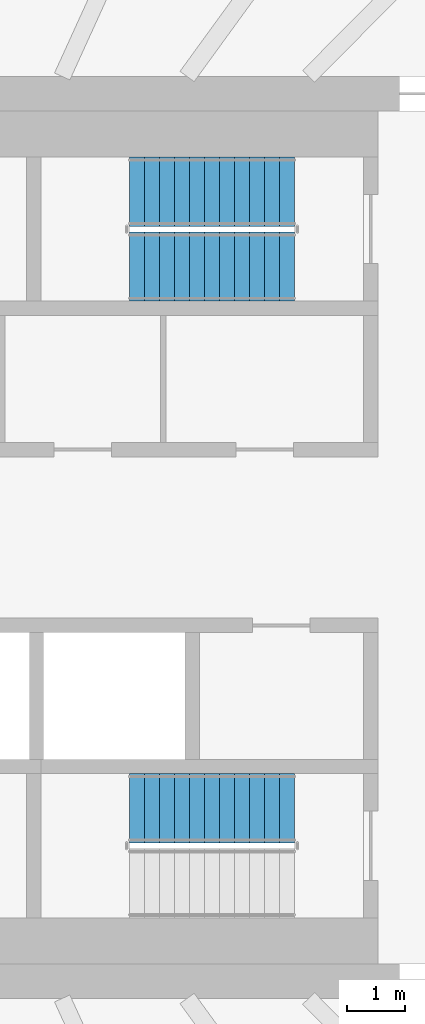
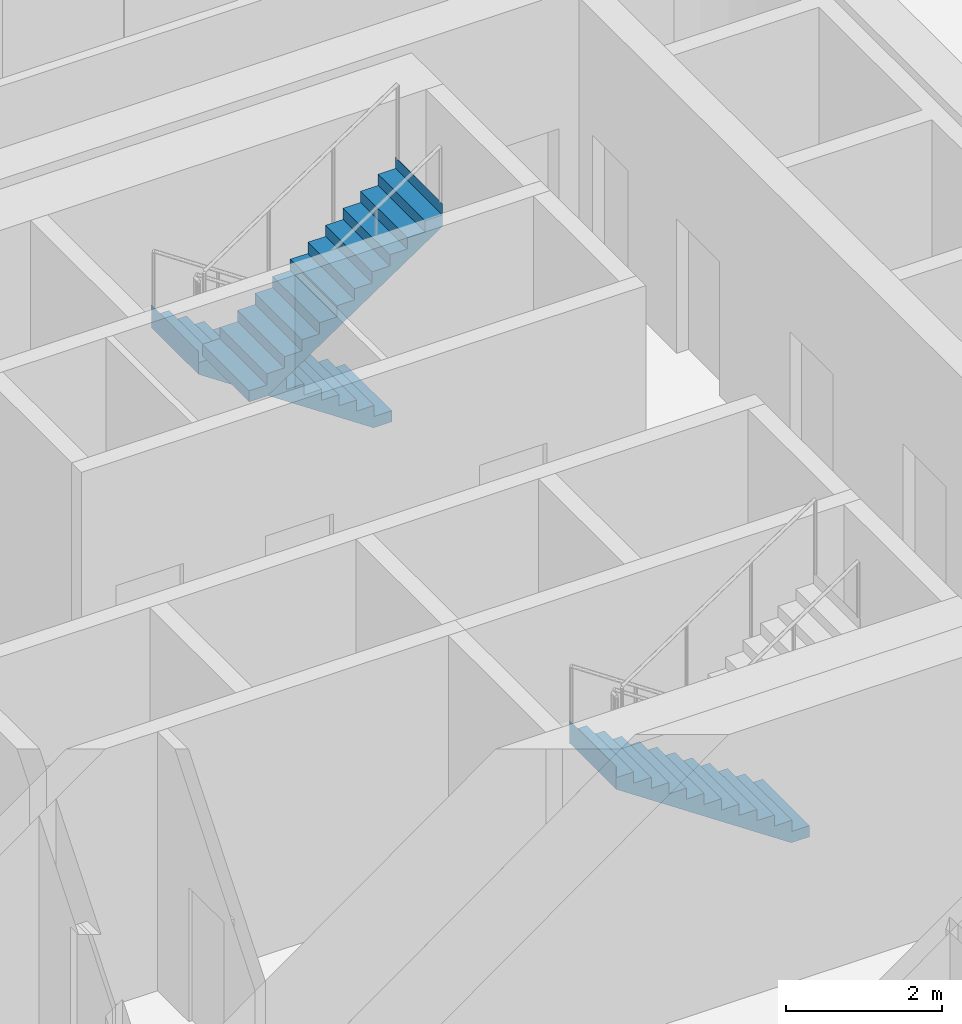
# One storey, part 19 of 26: 3 stair flights, 2 elements without a shape of their own.
"""IFC4 building model written with IfcOpenShell, lengths in metres."""

from ifc_helpers import new_model, si_unit, direction, frame, origin, place, context, subcontext, project, spatial, triangles, material, type_object, element, aggregate, save


model = new_model("IFC4")

# Units and contexts
model_context = context("Model", 3, precision=1e-05, world=origin(), true_north=direction((0.0, 1.0)))
body_context = subcontext(model_context, "Body", "Model", "MODEL_VIEW")
ifc_project = project(units=[si_unit("LENGTHUNIT", "METRE"), si_unit("AREAUNIT", "SQUARE_METRE"), si_unit("VOLUMEUNIT", "CUBIC_METRE"), si_unit("PLANEANGLEUNIT", "RADIAN"), si_unit("MASSUNIT", "GRAM", prefix="KILO")], contexts=[model_context])

# Site, building, storey
site_placement = place(None, origin())
site = spatial("IfcSite", under=ifc_project, at=site_placement, CompositionType="ELEMENT")
building_placement = place(site_placement, origin())
building = spatial("IfcBuilding", under=site, at=building_placement, Name="Sahrelin Media Tower", CompositionType="ELEMENT")
storey_placement = place(building_placement, frame((0.0, 0.0, 102.0)))
storey = spatial("IfcBuildingStorey", under=building, at=storey_placement, Name="L19", CompositionType="ELEMENT", Elevation=102.0)

# Stair, stair flights
ifc_material = material(Name="Concrete C40/50", Category="concrete")
stair_type = type_object("IfcStairType", Name="Exit stair 1200", PredefinedType="HALF_TURN_STAIR", material=ifc_material)
placement = place(storey_placement, origin())
stair_1 = element("IfcStair", 1, at=placement, inside=storey, type_object=stair_type, Name="L19 Exit stair ST3", PredefinedType="HALF_TURN_STAIR")
stair_flight_type = type_object("IfcStairFlightType", Name="Stair flight 1200", PredefinedType="STRAIGHT", material=ifc_material)
stair_flight_1_placement = place(storey_placement, frame((7.675048828125, 6.0, 0.0), z_axis=(0.0, 0.0, 1.0), x_axis=(-1.0, 0.0, 0.0)))
stair_flight_1 = element("IfcStairFlight", 2, at=stair_flight_1_placement, type_object=stair_flight_type, Name="ST3 flight 1", NumberOfRisers=12, NumberOfTreads=11, PredefinedType="STRAIGHT", RiserHeight=0.175, TreadLength=0.26, context=body_context, shape_type="Tessellation", body=[
    triangles([(0.2685546875, 0.60009765625, 0.0), (0.2685546875, 0.300048828125, 0.0), (0.2685546875, 0.0, 0.0), (0.2685546875, -0.300048828125, 0.0), (0.2685546875, -0.60009765625, 0.0), (2.860107421875, 0.60009765625, 1.744384765625), (2.860107421875, 0.300048828125, 1.744384765625), (2.860107421875, 0.0, 1.744384765625), (2.860107421875, -0.300048828125, 1.744384765625), (2.860107421875, -0.60009765625, 1.744384765625), (2.860107421875, 0.60009765625, 2.10009765625), (2.860107421875, 0.300048828125, 2.10009765625), (2.860107421875, 0.0, 2.10009765625), (2.860107421875, -0.300048828125, 2.10009765625), (2.860107421875, -0.60009765625, 2.10009765625), (2.85791015625, 0.60009765625, 2.10009765625), (2.85791015625, 0.300048828125, 2.10009765625), (2.85791015625, 0.0, 2.10009765625), (2.85791015625, -0.300048828125, 2.10009765625), (2.85791015625, -0.60009765625, 2.10009765625), (2.85791015625, 0.60009765625, 1.925048828125), (2.85791015625, 0.300048828125, 1.925048828125), (2.85791015625, 0.0, 1.925048828125), (2.85791015625, -0.300048828125, 1.925048828125), (2.85791015625, -0.60009765625, 1.925048828125), (2.60009765625, 0.60009765625, 1.925048828125), (2.60009765625, 0.300048828125, 1.925048828125), (2.60009765625, 0.0, 1.925048828125), (2.60009765625, -0.300048828125, 1.925048828125), (2.60009765625, -0.60009765625, 1.925048828125), (2.60009765625, 0.60009765625, 1.75), (2.60009765625, 0.300048828125, 1.75), (2.60009765625, 0.0, 1.75), (2.60009765625, -0.300048828125, 1.75), (2.60009765625, -0.60009765625, 1.75), (2.340087890625, 0.60009765625, 1.75), (2.340087890625, 0.300048828125, 1.75), (2.340087890625, 0.0, 1.75), (2.340087890625, -0.300048828125, 1.75), (2.340087890625, -0.60009765625, 1.75), (2.340087890625, 0.60009765625, 1.574951171875), (2.340087890625, 0.300048828125, 1.574951171875), (2.340087890625, 0.0, 1.574951171875), (2.340087890625, -0.300048828125, 1.574951171875), (2.340087890625, -0.60009765625, 1.574951171875), (2.080078125, 0.60009765625, 1.574951171875), (2.080078125, 0.300048828125, 1.574951171875), (2.080078125, 0.0, 1.574951171875), (2.080078125, -0.300048828125, 1.574951171875), (2.080078125, -0.60009765625, 1.574951171875), (2.080078125, 0.60009765625, 1.39990234375), (2.080078125, 0.300048828125, 1.39990234375), (2.080078125, 0.0, 1.39990234375), (2.080078125, -0.300048828125, 1.39990234375), (2.080078125, -0.60009765625, 1.39990234375), (1.820068359375, 0.60009765625, 1.39990234375), (1.820068359375, 0.300048828125, 1.39990234375), (1.820068359375, 0.0, 1.39990234375), (1.820068359375, -0.300048828125, 1.39990234375), (1.820068359375, -0.60009765625, 1.39990234375), (1.820068359375, 0.60009765625, 1.22509765625), (1.820068359375, 0.300048828125, 1.22509765625), (1.820068359375, 0.0, 1.22509765625), (1.820068359375, -0.300048828125, 1.22509765625), (1.820068359375, -0.60009765625, 1.22509765625), (1.56005859375, 0.60009765625, 1.22509765625), (1.56005859375, 0.300048828125, 1.22509765625), (1.56005859375, 0.0, 1.22509765625), (1.56005859375, -0.300048828125, 1.22509765625), (1.56005859375, -0.60009765625, 1.22509765625), (1.56005859375, 0.60009765625, 1.050048828125), (1.56005859375, 0.300048828125, 1.050048828125), (1.56005859375, 0.0, 1.050048828125), (1.56005859375, -0.300048828125, 1.050048828125), (1.56005859375, -0.60009765625, 1.050048828125), (1.300048828125, 0.60009765625, 1.050048828125), (1.300048828125, 0.300048828125, 1.050048828125), (1.300048828125, 0.0, 1.050048828125), (1.300048828125, -0.300048828125, 1.050048828125), (1.300048828125, -0.60009765625, 1.050048828125), (1.300048828125, 0.60009765625, 0.875), (1.300048828125, 0.300048828125, 0.875), (1.300048828125, 0.0, 0.875), (1.300048828125, -0.300048828125, 0.875), (1.300048828125, -0.60009765625, 0.875), (1.0400390625, 0.60009765625, 0.875), (1.0400390625, 0.300048828125, 0.875), (1.0400390625, 0.0, 0.875), (1.0400390625, -0.300048828125, 0.875), (1.0400390625, -0.60009765625, 0.875), (1.0400390625, 0.60009765625, 0.699951171875), (1.0400390625, 0.300048828125, 0.699951171875), (1.0400390625, 0.0, 0.699951171875), (1.0400390625, -0.300048828125, 0.699951171875), (1.0400390625, -0.60009765625, 0.699951171875), (0.780029296875, 0.60009765625, 0.699951171875), (0.780029296875, 0.300048828125, 0.699951171875), (0.780029296875, 0.0, 0.699951171875), (0.780029296875, -0.300048828125, 0.699951171875), (0.780029296875, -0.60009765625, 0.699951171875), (0.780029296875, 0.60009765625, 0.52490234375), (0.780029296875, 0.300048828125, 0.52490234375), (0.780029296875, 0.0, 0.52490234375), (0.780029296875, -0.300048828125, 0.52490234375), (0.780029296875, -0.60009765625, 0.52490234375), (0.52001953125, 0.60009765625, 0.52490234375), (0.52001953125, 0.300048828125, 0.52490234375), (0.52001953125, 0.0, 0.52490234375), (0.52001953125, -0.300048828125, 0.52490234375), (0.52001953125, -0.60009765625, 0.52490234375), (0.52001953125, 0.60009765625, 0.35009765625), (0.52001953125, 0.300048828125, 0.35009765625), (0.52001953125, 0.0, 0.35009765625), (0.52001953125, -0.300048828125, 0.35009765625), (0.52001953125, -0.60009765625, 0.35009765625), (0.260009765625, 0.60009765625, 0.35009765625), (0.260009765625, 0.300048828125, 0.35009765625), (0.260009765625, 0.0, 0.35009765625), (0.260009765625, -0.300048828125, 0.35009765625), (0.260009765625, -0.60009765625, 0.35009765625), (0.260009765625, 0.60009765625, 0.175048828125), (0.260009765625, 0.300048828125, 0.175048828125), (0.260009765625, 0.0, 0.175048828125), (0.260009765625, -0.300048828125, 0.175048828125), (0.260009765625, -0.60009765625, 0.175048828125), (0.0, 0.60009765625, 0.175048828125), (0.0, 0.300048828125, 0.175048828125), (0.0, 0.0, 0.175048828125), (0.0, -0.300048828125, 0.175048828125), (0.0, -0.60009765625, 0.175048828125), (0.0, 0.60009765625, 0.0), (0.0, 0.300048828125, 0.0), (0.0, 0.0, 0.0), (0.0, -0.300048828125, 0.0), (0.0, -0.60009765625, 0.0)], [[1, 6, 7], [1, 7, 2], [2, 7, 8], [2, 8, 3], [3, 8, 9], [3, 9, 4], [4, 9, 10], [4, 10, 5], [6, 11, 12], [6, 12, 7], [7, 12, 13], [7, 13, 8], [8, 13, 14], [8, 14, 9], [9, 14, 15], [9, 15, 10], [11, 16, 17], [11, 17, 12], [12, 17, 18], [12, 18, 13], [13, 18, 19], [13, 19, 14], [14, 19, 20], [14, 20, 15], [16, 21, 22], [16, 22, 17], [17, 22, 23], [17, 23, 18], [18, 23, 24], [18, 24, 19], [19, 24, 25], [19, 25, 20], [21, 26, 27], [21, 27, 22], [22, 27, 28], [22, 28, 23], [23, 28, 29], [23, 29, 24], [24, 29, 30], [24, 30, 25], [26, 31, 32], [26, 32, 27], [27, 32, 33], [27, 33, 28], [28, 33, 34], [28, 34, 29], [29, 34, 35], [29, 35, 30], [31, 36, 37], [31, 37, 32], [32, 37, 38], [32, 38, 33], [33, 38, 39], [33, 39, 34], [34, 39, 40], [34, 40, 35], [36, 41, 42], [36, 42, 37], [37, 42, 43], [37, 43, 38], [38, 43, 44], [38, 44, 39], [39, 44, 45], [39, 45, 40], [41, 46, 47], [41, 47, 42], [42, 47, 48], [42, 48, 43], [43, 48, 49], [43, 49, 44], [44, 49, 50], [44, 50, 45], [46, 51, 52], [46, 52, 47], [47, 52, 53], [47, 53, 48], [48, 53, 54], [48, 54, 49], [49, 54, 55], [49, 55, 50], [51, 56, 57], [51, 57, 52], [52, 57, 58], [52, 58, 53], [53, 58, 59], [53, 59, 54], [54, 59, 60], [54, 60, 55], [56, 61, 62], [56, 62, 57], [57, 62, 63], [57, 63, 58], [58, 63, 64], [58, 64, 59], [59, 64, 65], [59, 65, 60], [61, 66, 67], [61, 67, 62], [62, 67, 68], [62, 68, 63], [63, 68, 69], [63, 69, 64], [64, 69, 70], [64, 70, 65], [66, 71, 72], [66, 72, 67], [67, 72, 73], [67, 73, 68], [68, 73, 74], [68, 74, 69], [69, 74, 75], [69, 75, 70], [71, 76, 77], [71, 77, 72], [72, 77, 78], [72, 78, 73], [73, 78, 79], [73, 79, 74], [74, 79, 80], [74, 80, 75], [76, 81, 82], [76, 82, 77], [77, 82, 83], [77, 83, 78], [78, 83, 84], [78, 84, 79], [79, 84, 85], [79, 85, 80], [81, 86, 87], [81, 87, 82], [82, 87, 88], [82, 88, 83], [83, 88, 89], [83, 89, 84], [84, 89, 90], [84, 90, 85], [86, 91, 92], [86, 92, 87], [87, 92, 93], [87, 93, 88], [88, 93, 94], [88, 94, 89], [89, 94, 95], [89, 95, 90], [91, 96, 97], [91, 97, 92], [92, 97, 98], [92, 98, 93], [93, 98, 99], [93, 99, 94], [94, 99, 100], [94, 100, 95], [96, 101, 102], [96, 102, 97], [97, 102, 103], [97, 103, 98], [98, 103, 104], [98, 104, 99], [99, 104, 105], [99, 105, 100], [101, 106, 107], [101, 107, 102], [102, 107, 108], [102, 108, 103], [103, 108, 109], [103, 109, 104], [104, 109, 110], [104, 110, 105], [106, 111, 112], [106, 112, 107], [107, 112, 113], [107, 113, 108], [108, 113, 114], [108, 114, 109], [109, 114, 115], [109, 115, 110], [111, 116, 117], [111, 117, 112], [112, 117, 118], [112, 118, 113], [113, 118, 119], [113, 119, 114], [114, 119, 120], [114, 120, 115], [116, 121, 122], [116, 122, 117], [117, 122, 123], [117, 123, 118], [118, 123, 124], [118, 124, 119], [119, 124, 125], [119, 125, 120], [121, 126, 127], [121, 127, 122], [122, 127, 128], [122, 128, 123], [123, 128, 129], [123, 129, 124], [124, 129, 130], [124, 130, 125], [126, 131, 132], [126, 132, 127], [127, 132, 133], [127, 133, 128], [128, 133, 134], [128, 134, 129], [129, 134, 135], [129, 135, 130], [131, 1, 2], [131, 2, 132], [132, 2, 3], [132, 3, 133], [133, 3, 4], [133, 4, 134], [134, 4, 5], [134, 5, 135], [125, 130, 135], [121, 131, 126], [125, 115, 120], [121, 116, 111], [115, 105, 110], [111, 106, 101], [105, 95, 100], [101, 96, 91], [95, 85, 90], [91, 86, 81], [85, 75, 80], [81, 76, 71], [75, 65, 70], [71, 66, 61], [65, 55, 60], [61, 56, 51], [55, 45, 50], [51, 46, 41], [45, 35, 40], [41, 36, 31], [35, 25, 30], [31, 26, 21], [25, 15, 20], [21, 16, 11], [135, 5, 125], [131, 121, 1], [95, 105, 5], [91, 1, 101], [5, 10, 75], [1, 71, 6], [10, 35, 45], [6, 41, 31], [25, 10, 15], [21, 11, 6], [115, 125, 5], [111, 1, 121], [75, 85, 5], [71, 1, 81], [35, 10, 25], [31, 21, 6], [105, 115, 5], [101, 1, 111], [45, 55, 10], [41, 6, 51], [85, 95, 5], [81, 1, 91], [65, 10, 55], [61, 51, 6], [10, 65, 75], [6, 71, 61]], closed=True),
])
stair_flight_2_placement = place(storey_placement, frame((4.81494140625, 4.699951171875, 2.10009765625), z_axis=(0.0, 0.0, 1.0), x_axis=(1.0, 0.0, 0.0)))
stair_flight_2 = element("IfcStairFlight", 3, at=stair_flight_2_placement, type_object=stair_flight_type, Name="ST3 flight 2", NumberOfRisers=12, NumberOfTreads=11, PredefinedType="STRAIGHT", RiserHeight=0.175, TreadLength=0.26, context=body_context, shape_type="Tessellation", body=[
    triangles([(0.2685546875, 0.60009765625, 0.0), (0.2685546875, 0.300048828125, 0.0), (0.2685546875, 0.0, 0.0), (0.2685546875, -0.300048828125, 0.0), (0.2685546875, -0.60009765625, 0.0), (2.860107421875, 0.60009765625, 1.744384765625), (2.860107421875, 0.300048828125, 1.744384765625), (2.860107421875, 0.0, 1.744384765625), (2.860107421875, -0.300048828125, 1.744384765625), (2.860107421875, -0.60009765625, 1.744384765625), (2.860107421875, 0.60009765625, 2.10009765625), (2.860107421875, 0.300048828125, 2.10009765625), (2.860107421875, 0.0, 2.10009765625), (2.860107421875, -0.300048828125, 2.10009765625), (2.860107421875, -0.60009765625, 2.10009765625), (2.85791015625, 0.60009765625, 2.10009765625), (2.85791015625, 0.300048828125, 2.10009765625), (2.85791015625, 0.0, 2.10009765625), (2.85791015625, -0.300048828125, 2.10009765625), (2.85791015625, -0.60009765625, 2.10009765625), (2.85791015625, 0.60009765625, 1.925048828125), (2.85791015625, 0.300048828125, 1.925048828125), (2.85791015625, 0.0, 1.925048828125), (2.85791015625, -0.300048828125, 1.925048828125), (2.85791015625, -0.60009765625, 1.925048828125), (2.60009765625, 0.60009765625, 1.925048828125), (2.60009765625, 0.300048828125, 1.925048828125), (2.60009765625, 0.0, 1.925048828125), (2.60009765625, -0.300048828125, 1.925048828125), (2.60009765625, -0.60009765625, 1.925048828125), (2.60009765625, 0.60009765625, 1.75), (2.60009765625, 0.300048828125, 1.75), (2.60009765625, 0.0, 1.75), (2.60009765625, -0.300048828125, 1.75), (2.60009765625, -0.60009765625, 1.75), (2.340087890625, 0.60009765625, 1.75), (2.340087890625, 0.300048828125, 1.75), (2.340087890625, 0.0, 1.75), (2.340087890625, -0.300048828125, 1.75), (2.340087890625, -0.60009765625, 1.75), (2.340087890625, 0.60009765625, 1.574951171875), (2.340087890625, 0.300048828125, 1.574951171875), (2.340087890625, 0.0, 1.574951171875), (2.340087890625, -0.300048828125, 1.574951171875), (2.340087890625, -0.60009765625, 1.574951171875), (2.080078125, 0.60009765625, 1.574951171875), (2.080078125, 0.300048828125, 1.574951171875), (2.080078125, 0.0, 1.574951171875), (2.080078125, -0.300048828125, 1.574951171875), (2.080078125, -0.60009765625, 1.574951171875), (2.080078125, 0.60009765625, 1.39990234375), (2.080078125, 0.300048828125, 1.39990234375), (2.080078125, 0.0, 1.39990234375), (2.080078125, -0.300048828125, 1.39990234375), (2.080078125, -0.60009765625, 1.39990234375), (1.820068359375, 0.60009765625, 1.39990234375), (1.820068359375, 0.300048828125, 1.39990234375), (1.820068359375, 0.0, 1.39990234375), (1.820068359375, -0.300048828125, 1.39990234375), (1.820068359375, -0.60009765625, 1.39990234375), (1.820068359375, 0.60009765625, 1.22509765625), (1.820068359375, 0.300048828125, 1.22509765625), (1.820068359375, 0.0, 1.22509765625), (1.820068359375, -0.300048828125, 1.22509765625), (1.820068359375, -0.60009765625, 1.22509765625), (1.56005859375, 0.60009765625, 1.22509765625), (1.56005859375, 0.300048828125, 1.22509765625), (1.56005859375, 0.0, 1.22509765625), (1.56005859375, -0.300048828125, 1.22509765625), (1.56005859375, -0.60009765625, 1.22509765625), (1.56005859375, 0.60009765625, 1.050048828125), (1.56005859375, 0.300048828125, 1.050048828125), (1.56005859375, 0.0, 1.050048828125), (1.56005859375, -0.300048828125, 1.050048828125), (1.56005859375, -0.60009765625, 1.050048828125), (1.300048828125, 0.60009765625, 1.050048828125), (1.300048828125, 0.300048828125, 1.050048828125), (1.300048828125, 0.0, 1.050048828125), (1.300048828125, -0.300048828125, 1.050048828125), (1.300048828125, -0.60009765625, 1.050048828125), (1.300048828125, 0.60009765625, 0.875), (1.300048828125, 0.300048828125, 0.875), (1.300048828125, 0.0, 0.875), (1.300048828125, -0.300048828125, 0.875), (1.300048828125, -0.60009765625, 0.875), (1.0400390625, 0.60009765625, 0.875), (1.0400390625, 0.300048828125, 0.875), (1.0400390625, 0.0, 0.875), (1.0400390625, -0.300048828125, 0.875), (1.0400390625, -0.60009765625, 0.875), (1.0400390625, 0.60009765625, 0.699951171875), (1.0400390625, 0.300048828125, 0.699951171875), (1.0400390625, 0.0, 0.699951171875), (1.0400390625, -0.300048828125, 0.699951171875), (1.0400390625, -0.60009765625, 0.699951171875), (0.780029296875, 0.60009765625, 0.699951171875), (0.780029296875, 0.300048828125, 0.699951171875), (0.780029296875, 0.0, 0.699951171875), (0.780029296875, -0.300048828125, 0.699951171875), (0.780029296875, -0.60009765625, 0.699951171875), (0.780029296875, 0.60009765625, 0.52490234375), (0.780029296875, 0.300048828125, 0.52490234375), (0.780029296875, 0.0, 0.52490234375), (0.780029296875, -0.300048828125, 0.52490234375), (0.780029296875, -0.60009765625, 0.52490234375), (0.52001953125, 0.60009765625, 0.52490234375), (0.52001953125, 0.300048828125, 0.52490234375), (0.52001953125, 0.0, 0.52490234375), (0.52001953125, -0.300048828125, 0.52490234375), (0.52001953125, -0.60009765625, 0.52490234375), (0.52001953125, 0.60009765625, 0.35009765625), (0.52001953125, 0.300048828125, 0.35009765625), (0.52001953125, 0.0, 0.35009765625), (0.52001953125, -0.300048828125, 0.35009765625), (0.52001953125, -0.60009765625, 0.35009765625), (0.260009765625, 0.60009765625, 0.35009765625), (0.260009765625, 0.300048828125, 0.35009765625), (0.260009765625, 0.0, 0.35009765625), (0.260009765625, -0.300048828125, 0.35009765625), (0.260009765625, -0.60009765625, 0.35009765625), (0.260009765625, 0.60009765625, 0.175048828125), (0.260009765625, 0.300048828125, 0.175048828125), (0.260009765625, 0.0, 0.175048828125), (0.260009765625, -0.300048828125, 0.175048828125), (0.260009765625, -0.60009765625, 0.175048828125), (0.0, 0.60009765625, 0.175048828125), (0.0, 0.300048828125, 0.175048828125), (0.0, 0.0, 0.175048828125), (0.0, -0.300048828125, 0.175048828125), (0.0, -0.60009765625, 0.175048828125), (0.0, 0.60009765625, 0.0), (0.0, 0.300048828125, 0.0), (0.0, 0.0, 0.0), (0.0, -0.300048828125, 0.0), (0.0, -0.60009765625, 0.0)], [[1, 6, 7], [1, 7, 2], [2, 7, 8], [2, 8, 3], [3, 8, 9], [3, 9, 4], [4, 9, 10], [4, 10, 5], [6, 11, 12], [6, 12, 7], [7, 12, 13], [7, 13, 8], [8, 13, 14], [8, 14, 9], [9, 14, 15], [9, 15, 10], [11, 16, 17], [11, 17, 12], [12, 17, 18], [12, 18, 13], [13, 18, 19], [13, 19, 14], [14, 19, 20], [14, 20, 15], [16, 21, 22], [16, 22, 17], [17, 22, 23], [17, 23, 18], [18, 23, 24], [18, 24, 19], [19, 24, 25], [19, 25, 20], [21, 26, 27], [21, 27, 22], [22, 27, 28], [22, 28, 23], [23, 28, 29], [23, 29, 24], [24, 29, 30], [24, 30, 25], [26, 31, 32], [26, 32, 27], [27, 32, 33], [27, 33, 28], [28, 33, 34], [28, 34, 29], [29, 34, 35], [29, 35, 30], [31, 36, 37], [31, 37, 32], [32, 37, 38], [32, 38, 33], [33, 38, 39], [33, 39, 34], [34, 39, 40], [34, 40, 35], [36, 41, 42], [36, 42, 37], [37, 42, 43], [37, 43, 38], [38, 43, 44], [38, 44, 39], [39, 44, 45], [39, 45, 40], [41, 46, 47], [41, 47, 42], [42, 47, 48], [42, 48, 43], [43, 48, 49], [43, 49, 44], [44, 49, 50], [44, 50, 45], [46, 51, 52], [46, 52, 47], [47, 52, 53], [47, 53, 48], [48, 53, 54], [48, 54, 49], [49, 54, 55], [49, 55, 50], [51, 56, 57], [51, 57, 52], [52, 57, 58], [52, 58, 53], [53, 58, 59], [53, 59, 54], [54, 59, 60], [54, 60, 55], [56, 61, 62], [56, 62, 57], [57, 62, 63], [57, 63, 58], [58, 63, 64], [58, 64, 59], [59, 64, 65], [59, 65, 60], [61, 66, 67], [61, 67, 62], [62, 67, 68], [62, 68, 63], [63, 68, 69], [63, 69, 64], [64, 69, 70], [64, 70, 65], [66, 71, 72], [66, 72, 67], [67, 72, 73], [67, 73, 68], [68, 73, 74], [68, 74, 69], [69, 74, 75], [69, 75, 70], [71, 76, 77], [71, 77, 72], [72, 77, 78], [72, 78, 73], [73, 78, 79], [73, 79, 74], [74, 79, 80], [74, 80, 75], [76, 81, 82], [76, 82, 77], [77, 82, 83], [77, 83, 78], [78, 83, 84], [78, 84, 79], [79, 84, 85], [79, 85, 80], [81, 86, 87], [81, 87, 82], [82, 87, 88], [82, 88, 83], [83, 88, 89], [83, 89, 84], [84, 89, 90], [84, 90, 85], [86, 91, 92], [86, 92, 87], [87, 92, 93], [87, 93, 88], [88, 93, 94], [88, 94, 89], [89, 94, 95], [89, 95, 90], [91, 96, 97], [91, 97, 92], [92, 97, 98], [92, 98, 93], [93, 98, 99], [93, 99, 94], [94, 99, 100], [94, 100, 95], [96, 101, 102], [96, 102, 97], [97, 102, 103], [97, 103, 98], [98, 103, 104], [98, 104, 99], [99, 104, 105], [99, 105, 100], [101, 106, 107], [101, 107, 102], [102, 107, 108], [102, 108, 103], [103, 108, 109], [103, 109, 104], [104, 109, 110], [104, 110, 105], [106, 111, 112], [106, 112, 107], [107, 112, 113], [107, 113, 108], [108, 113, 114], [108, 114, 109], [109, 114, 115], [109, 115, 110], [111, 116, 117], [111, 117, 112], [112, 117, 118], [112, 118, 113], [113, 118, 119], [113, 119, 114], [114, 119, 120], [114, 120, 115], [116, 121, 122], [116, 122, 117], [117, 122, 123], [117, 123, 118], [118, 123, 124], [118, 124, 119], [119, 124, 125], [119, 125, 120], [121, 126, 127], [121, 127, 122], [122, 127, 128], [122, 128, 123], [123, 128, 129], [123, 129, 124], [124, 129, 130], [124, 130, 125], [126, 131, 132], [126, 132, 127], [127, 132, 133], [127, 133, 128], [128, 133, 134], [128, 134, 129], [129, 134, 135], [129, 135, 130], [131, 1, 2], [131, 2, 132], [132, 2, 3], [132, 3, 133], [133, 3, 4], [133, 4, 134], [134, 4, 5], [134, 5, 135], [125, 130, 135], [121, 131, 126], [125, 115, 120], [121, 116, 111], [115, 105, 110], [111, 106, 101], [105, 95, 100], [101, 96, 91], [95, 85, 90], [91, 86, 81], [85, 75, 80], [81, 76, 71], [75, 65, 70], [71, 66, 61], [65, 55, 60], [61, 56, 51], [55, 45, 50], [51, 46, 41], [45, 35, 40], [41, 36, 31], [35, 25, 30], [31, 26, 21], [25, 15, 20], [21, 16, 11], [135, 5, 125], [131, 121, 1], [95, 105, 5], [91, 1, 101], [5, 10, 75], [1, 71, 6], [10, 35, 45], [6, 41, 31], [25, 10, 15], [21, 11, 6], [115, 125, 5], [111, 1, 121], [75, 85, 5], [71, 1, 81], [35, 10, 25], [31, 21, 6], [105, 115, 5], [101, 1, 111], [45, 55, 10], [41, 6, 51], [85, 95, 5], [81, 1, 91], [65, 10, 55], [61, 51, 6], [10, 65, 75], [6, 71, 61]], closed=True),
])
aggregate(stair_1, [stair_flight_1, stair_flight_2])

# Stair, stair flight
stair_2 = element("IfcStair", 4, at=placement, inside=storey, type_object=stair_type, Name="L19 Exit stair ST2", PredefinedType="HALF_TURN_STAIR")
stair_flight_3_placement = place(storey_placement, frame((7.675048828125, -4.699951171875, 0.0), z_axis=(0.0, 0.0, 1.0), x_axis=(-1.0, 0.0, 0.0)))
stair_flight_3 = element("IfcStairFlight", 5, at=stair_flight_3_placement, type_object=stair_flight_type, Name="ST2 flight 1", NumberOfRisers=12, NumberOfTreads=11, PredefinedType="STRAIGHT", RiserHeight=0.175, TreadLength=0.26, context=body_context, shape_type="Tessellation", body=[
    triangles([(0.2685546875, 0.60009765625, 0.0), (0.2685546875, 0.300048828125, 0.0), (0.2685546875, 0.0, 0.0), (0.2685546875, -0.300048828125, 0.0), (0.2685546875, -0.60009765625, 0.0), (2.860107421875, 0.60009765625, 1.744384765625), (2.860107421875, 0.300048828125, 1.744384765625), (2.860107421875, 0.0, 1.744384765625), (2.860107421875, -0.300048828125, 1.744384765625), (2.860107421875, -0.60009765625, 1.744384765625), (2.860107421875, 0.60009765625, 2.10009765625), (2.860107421875, 0.300048828125, 2.10009765625), (2.860107421875, 0.0, 2.10009765625), (2.860107421875, -0.300048828125, 2.10009765625), (2.860107421875, -0.60009765625, 2.10009765625), (2.85791015625, 0.60009765625, 2.10009765625), (2.85791015625, 0.300048828125, 2.10009765625), (2.85791015625, 0.0, 2.10009765625), (2.85791015625, -0.300048828125, 2.10009765625), (2.85791015625, -0.60009765625, 2.10009765625), (2.85791015625, 0.60009765625, 1.925048828125), (2.85791015625, 0.300048828125, 1.925048828125), (2.85791015625, 0.0, 1.925048828125), (2.85791015625, -0.300048828125, 1.925048828125), (2.85791015625, -0.60009765625, 1.925048828125), (2.60009765625, 0.60009765625, 1.925048828125), (2.60009765625, 0.300048828125, 1.925048828125), (2.60009765625, 0.0, 1.925048828125), (2.60009765625, -0.300048828125, 1.925048828125), (2.60009765625, -0.60009765625, 1.925048828125), (2.60009765625, 0.60009765625, 1.75), (2.60009765625, 0.300048828125, 1.75), (2.60009765625, 0.0, 1.75), (2.60009765625, -0.300048828125, 1.75), (2.60009765625, -0.60009765625, 1.75), (2.340087890625, 0.60009765625, 1.75), (2.340087890625, 0.300048828125, 1.75), (2.340087890625, 0.0, 1.75), (2.340087890625, -0.300048828125, 1.75), (2.340087890625, -0.60009765625, 1.75), (2.340087890625, 0.60009765625, 1.574951171875), (2.340087890625, 0.300048828125, 1.574951171875), (2.340087890625, 0.0, 1.574951171875), (2.340087890625, -0.300048828125, 1.574951171875), (2.340087890625, -0.60009765625, 1.574951171875), (2.080078125, 0.60009765625, 1.574951171875), (2.080078125, 0.300048828125, 1.574951171875), (2.080078125, 0.0, 1.574951171875), (2.080078125, -0.300048828125, 1.574951171875), (2.080078125, -0.60009765625, 1.574951171875), (2.080078125, 0.60009765625, 1.39990234375), (2.080078125, 0.300048828125, 1.39990234375), (2.080078125, 0.0, 1.39990234375), (2.080078125, -0.300048828125, 1.39990234375), (2.080078125, -0.60009765625, 1.39990234375), (1.820068359375, 0.60009765625, 1.39990234375), (1.820068359375, 0.300048828125, 1.39990234375), (1.820068359375, 0.0, 1.39990234375), (1.820068359375, -0.300048828125, 1.39990234375), (1.820068359375, -0.60009765625, 1.39990234375), (1.820068359375, 0.60009765625, 1.22509765625), (1.820068359375, 0.300048828125, 1.22509765625), (1.820068359375, 0.0, 1.22509765625), (1.820068359375, -0.300048828125, 1.22509765625), (1.820068359375, -0.60009765625, 1.22509765625), (1.56005859375, 0.60009765625, 1.22509765625), (1.56005859375, 0.300048828125, 1.22509765625), (1.56005859375, 0.0, 1.22509765625), (1.56005859375, -0.300048828125, 1.22509765625), (1.56005859375, -0.60009765625, 1.22509765625), (1.56005859375, 0.60009765625, 1.050048828125), (1.56005859375, 0.300048828125, 1.050048828125), (1.56005859375, 0.0, 1.050048828125), (1.56005859375, -0.300048828125, 1.050048828125), (1.56005859375, -0.60009765625, 1.050048828125), (1.300048828125, 0.60009765625, 1.050048828125), (1.300048828125, 0.300048828125, 1.050048828125), (1.300048828125, 0.0, 1.050048828125), (1.300048828125, -0.300048828125, 1.050048828125), (1.300048828125, -0.60009765625, 1.050048828125), (1.300048828125, 0.60009765625, 0.875), (1.300048828125, 0.300048828125, 0.875), (1.300048828125, 0.0, 0.875), (1.300048828125, -0.300048828125, 0.875), (1.300048828125, -0.60009765625, 0.875), (1.0400390625, 0.60009765625, 0.875), (1.0400390625, 0.300048828125, 0.875), (1.0400390625, 0.0, 0.875), (1.0400390625, -0.300048828125, 0.875), (1.0400390625, -0.60009765625, 0.875), (1.0400390625, 0.60009765625, 0.699951171875), (1.0400390625, 0.300048828125, 0.699951171875), (1.0400390625, 0.0, 0.699951171875), (1.0400390625, -0.300048828125, 0.699951171875), (1.0400390625, -0.60009765625, 0.699951171875), (0.780029296875, 0.60009765625, 0.699951171875), (0.780029296875, 0.300048828125, 0.699951171875), (0.780029296875, 0.0, 0.699951171875), (0.780029296875, -0.300048828125, 0.699951171875), (0.780029296875, -0.60009765625, 0.699951171875), (0.780029296875, 0.60009765625, 0.52490234375), (0.780029296875, 0.300048828125, 0.52490234375), (0.780029296875, 0.0, 0.52490234375), (0.780029296875, -0.300048828125, 0.52490234375), (0.780029296875, -0.60009765625, 0.52490234375), (0.52001953125, 0.60009765625, 0.52490234375), (0.52001953125, 0.300048828125, 0.52490234375), (0.52001953125, 0.0, 0.52490234375), (0.52001953125, -0.300048828125, 0.52490234375), (0.52001953125, -0.60009765625, 0.52490234375), (0.52001953125, 0.60009765625, 0.35009765625), (0.52001953125, 0.300048828125, 0.35009765625), (0.52001953125, 0.0, 0.35009765625), (0.52001953125, -0.300048828125, 0.35009765625), (0.52001953125, -0.60009765625, 0.35009765625), (0.260009765625, 0.60009765625, 0.35009765625), (0.260009765625, 0.300048828125, 0.35009765625), (0.260009765625, 0.0, 0.35009765625), (0.260009765625, -0.300048828125, 0.35009765625), (0.260009765625, -0.60009765625, 0.35009765625), (0.260009765625, 0.60009765625, 0.175048828125), (0.260009765625, 0.300048828125, 0.175048828125), (0.260009765625, 0.0, 0.175048828125), (0.260009765625, -0.300048828125, 0.175048828125), (0.260009765625, -0.60009765625, 0.175048828125), (0.0, 0.60009765625, 0.175048828125), (0.0, 0.300048828125, 0.175048828125), (0.0, 0.0, 0.175048828125), (0.0, -0.300048828125, 0.175048828125), (0.0, -0.60009765625, 0.175048828125), (0.0, 0.60009765625, 0.0), (0.0, 0.300048828125, 0.0), (0.0, 0.0, 0.0), (0.0, -0.300048828125, 0.0), (0.0, -0.60009765625, 0.0)], [[1, 6, 7], [1, 7, 2], [2, 7, 8], [2, 8, 3], [3, 8, 9], [3, 9, 4], [4, 9, 10], [4, 10, 5], [6, 11, 12], [6, 12, 7], [7, 12, 13], [7, 13, 8], [8, 13, 14], [8, 14, 9], [9, 14, 15], [9, 15, 10], [11, 16, 17], [11, 17, 12], [12, 17, 18], [12, 18, 13], [13, 18, 19], [13, 19, 14], [14, 19, 20], [14, 20, 15], [16, 21, 22], [16, 22, 17], [17, 22, 23], [17, 23, 18], [18, 23, 24], [18, 24, 19], [19, 24, 25], [19, 25, 20], [21, 26, 27], [21, 27, 22], [22, 27, 28], [22, 28, 23], [23, 28, 29], [23, 29, 24], [24, 29, 30], [24, 30, 25], [26, 31, 32], [26, 32, 27], [27, 32, 33], [27, 33, 28], [28, 33, 34], [28, 34, 29], [29, 34, 35], [29, 35, 30], [31, 36, 37], [31, 37, 32], [32, 37, 38], [32, 38, 33], [33, 38, 39], [33, 39, 34], [34, 39, 40], [34, 40, 35], [36, 41, 42], [36, 42, 37], [37, 42, 43], [37, 43, 38], [38, 43, 44], [38, 44, 39], [39, 44, 45], [39, 45, 40], [41, 46, 47], [41, 47, 42], [42, 47, 48], [42, 48, 43], [43, 48, 49], [43, 49, 44], [44, 49, 50], [44, 50, 45], [46, 51, 52], [46, 52, 47], [47, 52, 53], [47, 53, 48], [48, 53, 54], [48, 54, 49], [49, 54, 55], [49, 55, 50], [51, 56, 57], [51, 57, 52], [52, 57, 58], [52, 58, 53], [53, 58, 59], [53, 59, 54], [54, 59, 60], [54, 60, 55], [56, 61, 62], [56, 62, 57], [57, 62, 63], [57, 63, 58], [58, 63, 64], [58, 64, 59], [59, 64, 65], [59, 65, 60], [61, 66, 67], [61, 67, 62], [62, 67, 68], [62, 68, 63], [63, 68, 69], [63, 69, 64], [64, 69, 70], [64, 70, 65], [66, 71, 72], [66, 72, 67], [67, 72, 73], [67, 73, 68], [68, 73, 74], [68, 74, 69], [69, 74, 75], [69, 75, 70], [71, 76, 77], [71, 77, 72], [72, 77, 78], [72, 78, 73], [73, 78, 79], [73, 79, 74], [74, 79, 80], [74, 80, 75], [76, 81, 82], [76, 82, 77], [77, 82, 83], [77, 83, 78], [78, 83, 84], [78, 84, 79], [79, 84, 85], [79, 85, 80], [81, 86, 87], [81, 87, 82], [82, 87, 88], [82, 88, 83], [83, 88, 89], [83, 89, 84], [84, 89, 90], [84, 90, 85], [86, 91, 92], [86, 92, 87], [87, 92, 93], [87, 93, 88], [88, 93, 94], [88, 94, 89], [89, 94, 95], [89, 95, 90], [91, 96, 97], [91, 97, 92], [92, 97, 98], [92, 98, 93], [93, 98, 99], [93, 99, 94], [94, 99, 100], [94, 100, 95], [96, 101, 102], [96, 102, 97], [97, 102, 103], [97, 103, 98], [98, 103, 104], [98, 104, 99], [99, 104, 105], [99, 105, 100], [101, 106, 107], [101, 107, 102], [102, 107, 108], [102, 108, 103], [103, 108, 109], [103, 109, 104], [104, 109, 110], [104, 110, 105], [106, 111, 112], [106, 112, 107], [107, 112, 113], [107, 113, 108], [108, 113, 114], [108, 114, 109], [109, 114, 115], [109, 115, 110], [111, 116, 117], [111, 117, 112], [112, 117, 118], [112, 118, 113], [113, 118, 119], [113, 119, 114], [114, 119, 120], [114, 120, 115], [116, 121, 122], [116, 122, 117], [117, 122, 123], [117, 123, 118], [118, 123, 124], [118, 124, 119], [119, 124, 125], [119, 125, 120], [121, 126, 127], [121, 127, 122], [122, 127, 128], [122, 128, 123], [123, 128, 129], [123, 129, 124], [124, 129, 130], [124, 130, 125], [126, 131, 132], [126, 132, 127], [127, 132, 133], [127, 133, 128], [128, 133, 134], [128, 134, 129], [129, 134, 135], [129, 135, 130], [131, 1, 2], [131, 2, 132], [132, 2, 3], [132, 3, 133], [133, 3, 4], [133, 4, 134], [134, 4, 5], [134, 5, 135], [125, 130, 135], [121, 131, 126], [125, 115, 120], [121, 116, 111], [115, 105, 110], [111, 106, 101], [105, 95, 100], [101, 96, 91], [95, 85, 90], [91, 86, 81], [85, 75, 80], [81, 76, 71], [75, 65, 70], [71, 66, 61], [65, 55, 60], [61, 56, 51], [55, 45, 50], [51, 46, 41], [45, 35, 40], [41, 36, 31], [35, 25, 30], [31, 26, 21], [25, 15, 20], [21, 16, 11], [135, 5, 125], [131, 121, 1], [95, 105, 5], [91, 1, 101], [5, 10, 75], [1, 71, 6], [10, 35, 45], [6, 41, 31], [25, 10, 15], [21, 11, 6], [115, 125, 5], [111, 1, 121], [75, 85, 5], [71, 1, 81], [35, 10, 25], [31, 21, 6], [105, 115, 5], [101, 1, 111], [45, 55, 10], [41, 6, 51], [85, 95, 5], [81, 1, 91], [65, 10, 55], [61, 51, 6], [10, 65, 75], [6, 71, 61]], closed=True),
])
aggregate(stair_2, [stair_flight_3])

save(model, "model.ifc")
